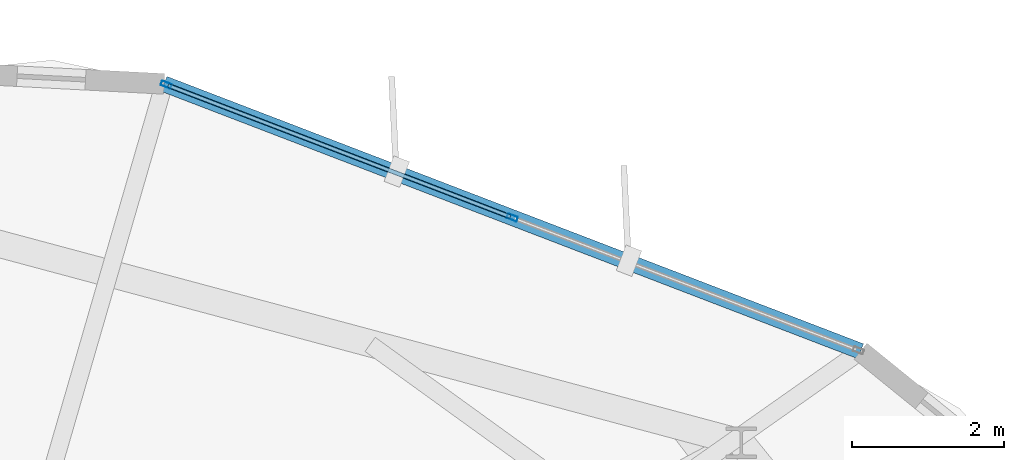
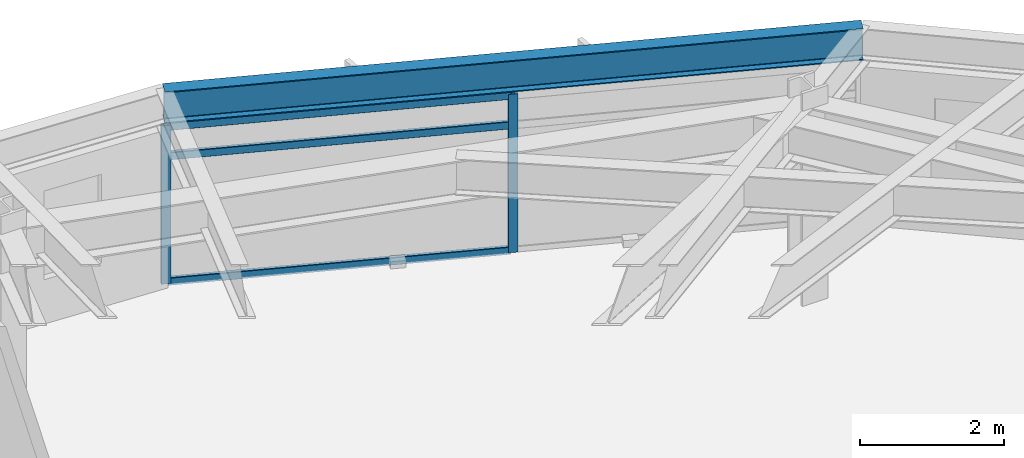
# One storey, part 20 of 29: 5 members, 1 beam, 1 element without a shape of its own.
"""IFC4 building model written with IfcOpenShell, lengths in metres."""

from ifc_helpers import new_model, si_unit, direction, frame, origin, origin_2d, place, context, subcontext, project, spatial, hollow_rectangle, i_section, extrude, material, layer, layer_set, material_profile, profile_set, type_object, element, aggregate, save


model = new_model("IFC4")

# Units and contexts
model_context = context("Model", 3, precision=1e-05, world=origin(), true_north=direction((0.0, 1.0)))
body_context = subcontext(model_context, "Body", "Model", "MODEL_VIEW")
ifc_project = project(units=[si_unit("LENGTHUNIT", "METRE"), si_unit("AREAUNIT", "SQUARE_METRE"), si_unit("VOLUMEUNIT", "CUBIC_METRE"), si_unit("PLANEANGLEUNIT", "RADIAN"), si_unit("MASSUNIT", "GRAM", prefix="KILO")], contexts=[model_context])

# Site, building, storey
site_placement = place(None, origin())
site = spatial("IfcSite", under=ifc_project, at=site_placement, CompositionType="ELEMENT")
building_placement = place(site_placement, origin())
building = spatial("IfcBuilding", under=site, at=building_placement, Name="Soratama Intermodal Tower", CompositionType="ELEMENT")
storey_placement = place(building_placement, frame((0.0, 0.0, 219.39990234375)))
storey = spatial("IfcBuildingStorey", under=building, at=storey_placement, Name="L55", CompositionType="ELEMENT", Elevation=219.39990234375)

# Beam
ifc_material_1 = material(Name="Structural steel ASTM A992 Grade 50", Category="steel")
ifc_material_profile_1 = material_profile(ifc_material_1, i_section(OverallWidth=0.2099609375, OverallDepth=0.537109375, WebThickness=0.010986328125, FlangeThickness=0.017333984375, FilletRadius=0.012939453125, at=origin_2d()), Name="W21X68")
ifc_profile_set_1 = profile_set([ifc_material_profile_1], Name="Structural steel ASTM A992 Grade 50")
beam_type = type_object("IfcBeamType", Name="BM-SPN-W21X68", PredefinedType="SPANDREL", material=ifc_profile_set_1)
beam_placement = place(storey_placement, frame((56.697021484375, 41.801025390625, 3.031494140625), z_axis=(-0.933587512054, 0.358349490494, 0.0), x_axis=(-0.358349490494, -0.933587512054, 0.0)))
element("IfcBeam", 1, at=beam_placement, inside=storey, type_object=beam_type, Name="BS-L55-F01", PredefinedType="SPANDREL", context=body_context, shape_type="SweptSolid", body=[
    extrude(i_section(OverallWidth=0.2099609375, OverallDepth=0.537109375, WebThickness=0.010986328125, FlangeThickness=0.017333984375, FilletRadius=0.012939453125, at=origin_2d()), origin(), (0.0, 0.0, 1.0), 9.797607421875),
])

# Curtain wall, members
ifc_material_2 = material(Name="Double-glazed aluminium curtain wall", Category="aluminium")
ifc_layer = layer(ifc_material_2, 0.159912109375)
ifc_layer_set = layer_set([ifc_layer], Name="Double-glazed aluminium curtain wall")
curtain_wall_type = type_object("IfcCurtainWallType", Name="CW-SYS-5", PredefinedType="NOTDEFINED", material=ifc_layer_set)
curtain_wall_placement = place(storey_placement, origin())
curtain_wall = element("IfcCurtainWall", 2, at=curtain_wall_placement, inside=storey, type_object=curtain_wall_type, Name="L55 Faceted Curtain Wall F01", PredefinedType="NOTDEFINED")
ifc_material_3 = material(Name="Anodised aluminium AA 6063-T6", Category="aluminium")
ifc_material_profile_2 = material_profile(ifc_material_3, hollow_rectangle(XDim=0.06494140625, YDim=0.139892578125, WallThickness=0.0048828125, InnerFilletRadius=0.0048828125, OuterFilletRadius=0.010009765625, at=origin_2d()), Name="CWM140X65X5")
ifc_profile_set_2 = profile_set([ifc_material_profile_2], Name="Anodised aluminium AA 6063-T6")
member_type_1 = type_object("IfcMemberType", Name="MT-CWM-5", PredefinedType="MULLION", material=ifc_profile_set_2)
member_1_placement = place(storey_placement, frame((52.123291015625, 43.556884765625, 0.0), z_axis=(0.0, 0.0, 1.0), x_axis=(-0.358358668826, -0.933583988978, 0.0)))
member_1 = element("IfcMember", 3, at=member_1_placement, type_object=member_type_1, Name="CW-5 mullion 2", PredefinedType="MULLION", context=body_context, shape_type="SweptSolid", body=[
    extrude(hollow_rectangle(XDim=0.06494140625, YDim=0.139892578125, WallThickness=0.0048828125, InnerFilletRadius=0.0048828125, OuterFilletRadius=0.010009765625, at=origin_2d()), origin(), (0.0, 0.0, 1.0), 2.67919921875),
])
member_2_placement = place(storey_placement, frame((47.577880859375, 45.3017578125, 0.0), z_axis=(0.0, 0.0, 1.0), x_axis=(-0.358358668826, -0.933583988978, 0.0)))
member_2 = element("IfcMember", 4, at=member_2_placement, type_object=member_type_1, Name="CW-5 mullion 3", PredefinedType="MULLION", context=body_context, shape_type="SweptSolid", body=[
    extrude(hollow_rectangle(XDim=0.06494140625, YDim=0.139892578125, WallThickness=0.0048828125, InnerFilletRadius=0.0048828125, OuterFilletRadius=0.010009765625, at=origin_2d()), origin(), (0.0, 0.0, 1.0), 2.67919921875),
])
ifc_material_4 = material(Name="Anodised aluminium AA 6063-T6", Category="aluminium")
ifc_material_profile_3 = material_profile(ifc_material_4, hollow_rectangle(XDim=0.06005859375, YDim=0.1298828125, WallThickness=0.0048828125, InnerFilletRadius=0.0048828125, OuterFilletRadius=0.010009765625, at=origin_2d()), Name="CWT130X60X5")
ifc_profile_set_3 = profile_set([ifc_material_profile_3], Name="Anodised aluminium AA 6063-T6")
member_type_2 = type_object("IfcMemberType", Name="TT-CWT-2", PredefinedType="USERDEFINED", material=ifc_profile_set_3)
member_3_placement = place(storey_placement, frame((52.09521484375, 43.567626953125, 0.030029296875), z_axis=(-0.933578315891, 0.358373447815, 0.0), x_axis=(-0.358373447815, -0.933578315891, 0.0)))
member_3 = element("IfcMember", 5, at=member_3_placement, type_object=member_type_2, Name="CW-5 transom 2.1", ObjectType="TRANSOM", PredefinedType="USERDEFINED", context=body_context, shape_type="SweptSolid", body=[
    extrude(hollow_rectangle(XDim=0.06005859375, YDim=0.1298828125, WallThickness=0.0048828125, InnerFilletRadius=0.0048828125, OuterFilletRadius=0.010009765625, at=origin_2d()), origin(), (0.0, 0.0, 1.0), 4.808837890625),
])
member_4_placement = place(storey_placement, frame((52.09521484375, 43.567626953125, 2.150146484375), z_axis=(-0.933578315891, 0.358373447815, 0.0), x_axis=(-0.358373447815, -0.933578315891, 0.0)))
member_4 = element("IfcMember", 6, at=member_4_placement, type_object=member_type_2, Name="CW-5 transom 2.2", ObjectType="TRANSOM", PredefinedType="USERDEFINED", context=body_context, shape_type="SweptSolid", body=[
    extrude(hollow_rectangle(XDim=0.06005859375, YDim=0.1298828125, WallThickness=0.0048828125, InnerFilletRadius=0.0048828125, OuterFilletRadius=0.010009765625, at=origin_2d()), origin(), (0.0, 0.0, 1.0), 4.808837890625),
])
member_5_placement = place(storey_placement, frame((52.09521484375, 43.567626953125, 2.649169921875), z_axis=(-0.933578315891, 0.358373447815, 0.0), x_axis=(-0.358373447815, -0.933578315891, 0.0)))
member_5 = element("IfcMember", 7, at=member_5_placement, type_object=member_type_2, Name="CW-5 transom 2.3", ObjectType="TRANSOM", PredefinedType="USERDEFINED", context=body_context, shape_type="SweptSolid", body=[
    extrude(hollow_rectangle(XDim=0.06005859375, YDim=0.1298828125, WallThickness=0.0048828125, InnerFilletRadius=0.0048828125, OuterFilletRadius=0.010009765625, at=origin_2d()), origin(), (0.0, 0.0, 1.0), 4.808837890625),
])
aggregate(curtain_wall, [member_1, member_2, member_3, member_4, member_5])

save(model, "model.ifc")
